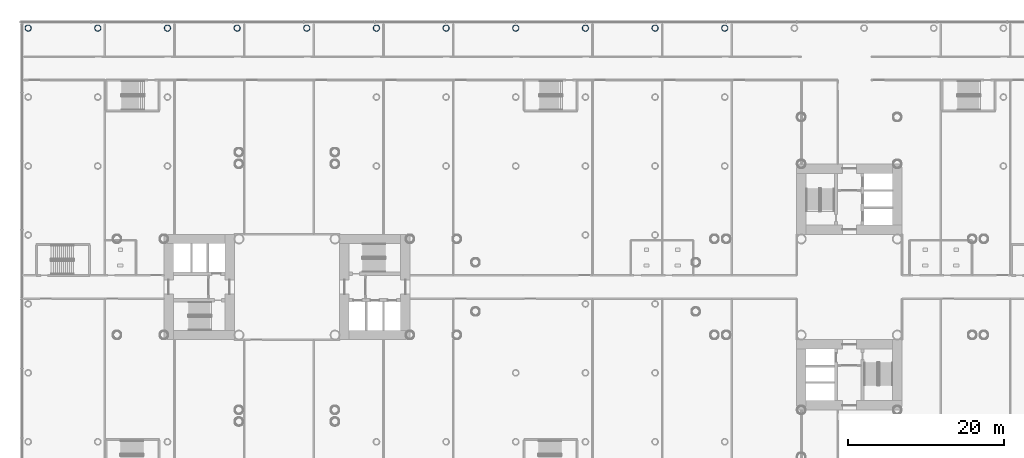
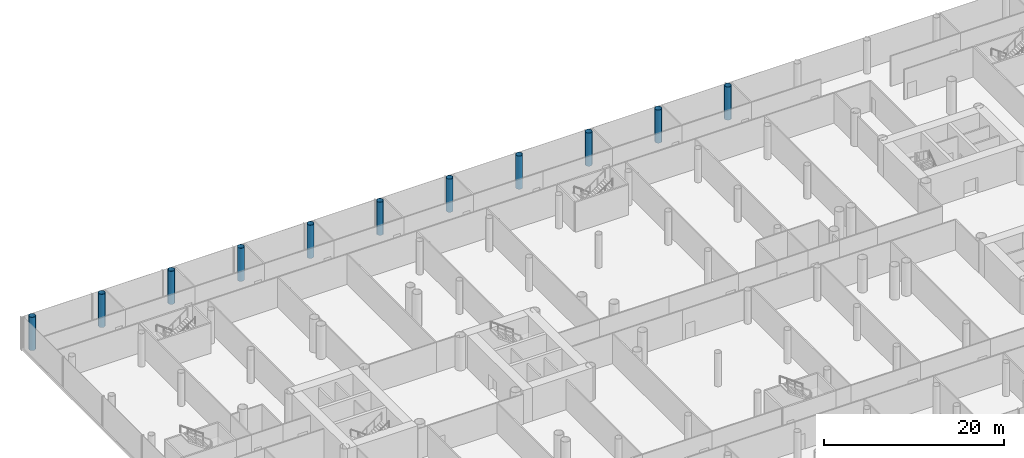
# One storey, part 3 of 49: 11 columns.
"""IFC4 building model written with IfcOpenShell, lengths in metres."""

import ifcopenshell
import ifcopenshell.guid

model = None  # the IFC model being written
_history = None  # IfcOwnerHistory: only IFC2X3 demands one
_inside = {}  # id of a spatial element -> (the spatial element, [elements in it])
_under = {}  # id of a project, library or spatial element -> (it, [spatial elements below it])
_declared = {}  # id of a project -> (the project, [libraries it declares])
_typed = {}  # id of a type object -> (the type object, [elements of that type])
_made_of = {}  # id of a material, layer set ... -> (it, [elements and type objects made of it])


def new_model(schema):
    """Start an empty IFC model of exactly this schema.

    Asked for "IFC4X3", IfcOpenShell would pick the latest addendum, in which some entities
    have other attributes; the version numbers below select the first issue.
    IFC2X3 requires an IfcOwnerHistory on every rooted entity: one is made here for all.
    """
    global model, _history
    if schema == "IFC4X3":
        model = ifcopenshell.file(schema_version=(4, 3, 0, 0))
    else:
        model = ifcopenshell.file(schema=schema)
    _inside.clear()
    _under.clear()
    _declared.clear()
    _typed.clear()
    _made_of.clear()
    _history = None
    if model.schema == "IFC2X3":
        org = make("IfcOrganization", Name="unknown")
        user = make(
            "IfcPersonAndOrganization",
            ThePerson=make("IfcPerson", FamilyName="unknown"),
            TheOrganization=org,
        )
        app = make(
            "IfcApplication",
            ApplicationDeveloper=org,
            Version="unknown",
            ApplicationFullName="unknown",
            ApplicationIdentifier="unknown",
        )
        _history = make(
            "IfcOwnerHistory",
            OwningUser=user,
            OwningApplication=app,
            ChangeAction="ADDED",
            CreationDate=0,
        )
    return model


def make(cls, **values):
    """One entity of the class cls with the attributes given. An attribute that is None is left unset."""
    return model.create_entity(
        cls, **{name: value for name, value in values.items() if value is not None}
    )


def rooted(cls, **values):
    """An entity with a GlobalId (a new one), such as an element, a storey or a relation."""
    return make(cls, GlobalId=ifcopenshell.guid.new(), OwnerHistory=_history, **values)


def si_unit(unit_type, name, prefix=None):
    """IfcSIUnit, for example si_unit("LENGTHUNIT", "METRE", prefix="MILLI")."""
    return make("IfcSIUnit", UnitType=unit_type, Prefix=prefix, Name=name)


def assignment(units):
    """IfcUnitAssignment: the units of a project."""
    return None if units is None else make("IfcUnitAssignment", Units=units)


def point(xyz):
    """IfcCartesianPoint."""
    return None if xyz is None else make("IfcCartesianPoint", Coordinates=xyz)


def direction(xyz):
    """IfcDirection."""
    return None if xyz is None else make("IfcDirection", DirectionRatios=xyz)


def frame(location, z_axis=None, x_axis=None):
    """IfcAxis2Placement3D, a coordinate frame: its origin and axes. An axis left out is left unset."""
    return make(
        "IfcAxis2Placement3D",
        Location=point(location),
        Axis=direction(z_axis),
        RefDirection=direction(x_axis),
    )


def frame_2d(location, x_axis=None):
    """IfcAxis2Placement2D, a coordinate frame in the plane: its origin and x axis."""
    return make(
        "IfcAxis2Placement2D", Location=point(location), RefDirection=direction(x_axis)
    )


def origin():
    """The frame at (0, 0, 0) with its axes left unset."""
    return frame((0.0, 0.0, 0.0))


def origin_2d():
    """The frame at (0, 0) in the plane with its x axis left unset."""
    return frame_2d((0.0, 0.0))


def place(relative_to, where):
    """IfcLocalPlacement: puts the frame where relative to a parent placement (None: the world)."""
    return make(
        "IfcLocalPlacement", PlacementRelTo=relative_to, RelativePlacement=where
    )


def context(
    kind, dimensions, precision=None, world=None, true_north=None, identifier=None
):
    """IfcGeometricRepresentationContext, for example the 3D "Model" context."""
    return make(
        "IfcGeometricRepresentationContext",
        ContextIdentifier=identifier,
        ContextType=kind,
        CoordinateSpaceDimension=dimensions,
        Precision=precision,
        WorldCoordinateSystem=world,
        TrueNorth=true_north,
    )


def subcontext(parent, identifier, kind, view, scale=None):
    """IfcGeometricRepresentationSubContext, for example "Body" below "Model"."""
    return make(
        "IfcGeometricRepresentationSubContext",
        ContextIdentifier=identifier,
        ContextType=kind,
        ParentContext=parent,
        TargetScale=scale,
        TargetView=view,
    )


def project(units=None, contexts=None):
    """IfcProject with its units and contexts."""
    return rooted(
        "IfcProject",
        Name="project",
        RepresentationContexts=contexts,
        UnitsInContext=assignment(units),
    )


def spatial(cls, under=None, at=None, **own):
    """A site, building, storey or space (cls), placed at a placement, below another one or the project."""
    s = rooted(cls, ObjectPlacement=at, **own)
    if under is not None:
        _under.setdefault(under.id(), (under, []))[1].append(s)
    return s


def profile(cls, at=None, kind="AREA", **sizes):
    """A parametric profile (cls). Its sizes go by their IFC names, for example OverallWidth=200.0."""
    return make(cls, ProfileType=kind, Position=at, **sizes)


def hollow_circle(**sizes):
    """IfcCircleHollowProfileDef."""
    return profile("IfcCircleHollowProfileDef", **sizes)


def extrude(swept, where, along, depth):
    """IfcExtrudedAreaSolid: the profile swept, set in the frame where, extruded along a direction by depth."""
    return make(
        "IfcExtrudedAreaSolid",
        SweptArea=swept,
        Position=where,
        ExtrudedDirection=direction(along),
        Depth=depth,
    )


def shape(context_of_items, identifier, shape_type, items):
    """IfcShapeRepresentation: the items that make up one representation, for example the "Body"."""
    return make(
        "IfcShapeRepresentation",
        ContextOfItems=context_of_items,
        RepresentationIdentifier=identifier,
        RepresentationType=shape_type,
        Items=items,
    )


def material(Name=None, Category=None):
    """IfcMaterial."""
    return make("IfcMaterial", Name=Name, Category=Category)


def material_profile(
    of_material, cross_section, Name=None, Category=None, Priority=None
):
    """IfcMaterialProfile: a cross section and its material."""
    return make(
        "IfcMaterialProfile",
        Name=Name,
        Material=of_material,
        Profile=cross_section,
        Priority=Priority,
        Category=Category,
    )


def profile_set(profiles, Name=None, composite=None):
    """IfcMaterialProfileSet."""
    return make(
        "IfcMaterialProfileSet",
        Name=Name,
        MaterialProfiles=profiles,
        CompositeProfile=composite,
    )


def made_of(thing, what):
    """Note that an element or type object is made of a material, layer set ...; save() writes the relation."""
    if what is not None:
        _made_of.setdefault(what.id(), (what, []))[1].append(thing)
    return thing


def type_object(cls, material=None, **own):
    """A type object (cls), such as IfcWallType, which elements share."""
    return made_of(rooted(cls, **own), material)


def element(
    cls,
    number,
    at=None,
    inside=None,
    cuts=None,
    type_object=None,
    material=None,
    context=None,
    identifier="Body",
    shape_type=None,
    held_by="IfcProductDefinitionShape",
    body=None,
    shapes=None,
    **own,
):
    """One element of the class cls, such as IfcWall. Its Tag is "e" and its number.

    at: its placement. inside: the storey or other place that contains it. cuts: it is an
    opening in that element (IfcRelVoidsElement). A single representation is given by context,
    identifier, shape_type and body (its items); several are given by shapes. held_by: the class
    of the entity that holds the representations. save() writes the other relations.
    """
    e = rooted(cls, Tag="e%d" % number, ObjectPlacement=at, **own)
    if body is not None:
        shapes = [shape(context, identifier, shape_type, body)]
    if shapes is not None:
        e.Representation = make(held_by, Representations=shapes)
    if inside is not None:
        _inside.setdefault(inside.id(), (inside, []))[1].append(e)
    if cuts is not None:
        rooted(
            "IfcRelVoidsElement", RelatingBuildingElement=cuts, RelatedOpeningElement=e
        )
    if type_object is not None:
        _typed.setdefault(type_object.id(), (type_object, []))[1].append(e)
    return made_of(e, material)


def aggregate(whole, parts):
    """IfcRelAggregates: a whole, such as a stair, and the parts it consists of."""
    return rooted("IfcRelAggregates", RelatingObject=whole, RelatedObjects=parts)


def save(model, path):
    """Write the relations noted so far, then the file.

    IfcRelAggregates (storeys below a building ...), IfcRelContainedInSpatialStructure (elements
    in a storey), IfcRelDefinesByType, IfcRelAssociatesMaterial and IfcRelDeclares: one each for
    every whole, place, type object, material and project.
    """
    for whole, parts in _under.values():
        aggregate(whole, parts)
    for where, things in _inside.values():
        rooted(
            "IfcRelContainedInSpatialStructure",
            RelatedElements=things,
            RelatingStructure=where,
        )
    for kind, things in _typed.values():
        rooted("IfcRelDefinesByType", RelatedObjects=things, RelatingType=kind)
    for what, things in _made_of.values():
        rooted("IfcRelAssociatesMaterial", RelatedObjects=things, RelatingMaterial=what)
    for by, libraries in _declared.values():
        rooted("IfcRelDeclares", RelatingContext=by, RelatedDefinitions=libraries)
    model.write(path)


model = new_model("IFC4")

# Units and contexts
model_context = context("Model", 3, precision=1e-05, world=origin(), true_north=direction((0.0, 1.0)))
body_context = subcontext(model_context, "Body", "Model", "MODEL_VIEW")
ifc_project = project(units=[si_unit("LENGTHUNIT", "METRE"), si_unit("AREAUNIT", "SQUARE_METRE"), si_unit("VOLUMEUNIT", "CUBIC_METRE"), si_unit("PLANEANGLEUNIT", "RADIAN"), si_unit("MASSUNIT", "GRAM", prefix="KILO")], contexts=[model_context])

# Site, building, storey
site_placement = place(None, origin())
site = spatial("IfcSite", under=ifc_project, at=site_placement, CompositionType="ELEMENT")
building_placement = place(site_placement, origin())
building = spatial("IfcBuilding", under=site, at=building_placement, Name="Ipe Terrace Towers", CompositionType="ELEMENT")
storey_placement = place(building_placement, frame((0.0, 0.0, 11.0)))
storey = spatial("IfcBuildingStorey", under=building, at=storey_placement, Name="L02", CompositionType="ELEMENT", Elevation=11.0)

# Columns
ifc_material = material(Name="Steel S355 tube with Concrete C60/75 fill", Category="concrete")
ifc_material_profile = material_profile(ifc_material, hollow_circle(Radius=0.39990234375, WallThickness=0.028076171875, at=origin_2d()), Name="CHS-800x28")
ifc_profile_set = profile_set([ifc_material_profile], Name="Steel S355 tube with Concrete C60/75 fill")
column_type = type_object("IfcColumnType", Name="CH09 PODIUM COLUMN CHS-800x28", PredefinedType="COLUMN", material=ifc_profile_set)
for number, where, z_axis, x_axis, name in (
    (1, (-69.14990234375, 33.14990234375, 0.0), (0.0, 0.0, 1.0), (1.0, 0.0, 0.0), "Column PD-C-K01"),
    (2, (-60.22998046875, 33.14990234375, 0.0), (0.0, 0.0, 1.0), (1.0, 0.0, 0.0), "Column PD-C-K02"),
    (3, (-51.31005859375, 33.14990234375, 0.0), (0.0, 0.0, 1.0), (1.0, 0.0, 0.0), "Column PD-C-K03"),
    (4, (-42.389892578125, 33.14990234375, 0.0), (0.0, 0.0, 1.0), (1.0, 0.0, 0.0), "Column PD-C-K04"),
    (5, (-33.469970703125, 33.14990234375, 0.0), (0.0, 0.0, 1.0), (1.0, 0.0, 0.0), "Column PD-C-K05"),
    (6, (-24.550048828125, 33.14990234375, 0.0), (0.0, 0.0, 1.0), (1.0, 0.0, 0.0), "Column PD-C-K06"),
    (7, (-15.6298828125, 33.14990234375, 0.0), (0.0, 0.0, 1.0), (1.0, 0.0, 0.0), "Column PD-C-K07"),
    (8, (-6.7099609375, 33.14990234375, 0.0), (0.0, 0.0, 1.0), (1.0, 0.0, 0.0), "Column PD-C-K08"),
    (9, (2.2099609375, 33.14990234375, 0.0), (0.0, 0.0, 1.0), (1.0, 0.0, 0.0), "Column PD-C-K09"),
    (10, (11.1298828125, 33.14990234375, 0.0), (0.0, 0.0, 1.0), (1.0, 0.0, 0.0), "Column PD-C-K10"),
    (11, (20.050048828125, 33.14990234375, 0.0), (0.0, 0.0, 1.0), (1.0, 0.0, 0.0), "Column PD-C-K11"),
):
    element("IfcColumn", number, at=place(storey_placement, frame(where, z_axis=z_axis, x_axis=x_axis)), inside=storey, type_object=column_type, Name=name, PredefinedType="COLUMN", context=body_context, shape_type="SweptSolid", body=[
        extrude(hollow_circle(Radius=0.39990234375, WallThickness=0.028076171875, at=origin_2d()), origin(), (0.0, 0.0, 1.0), 4.5),
    ])

save(model, "model.ifc")
